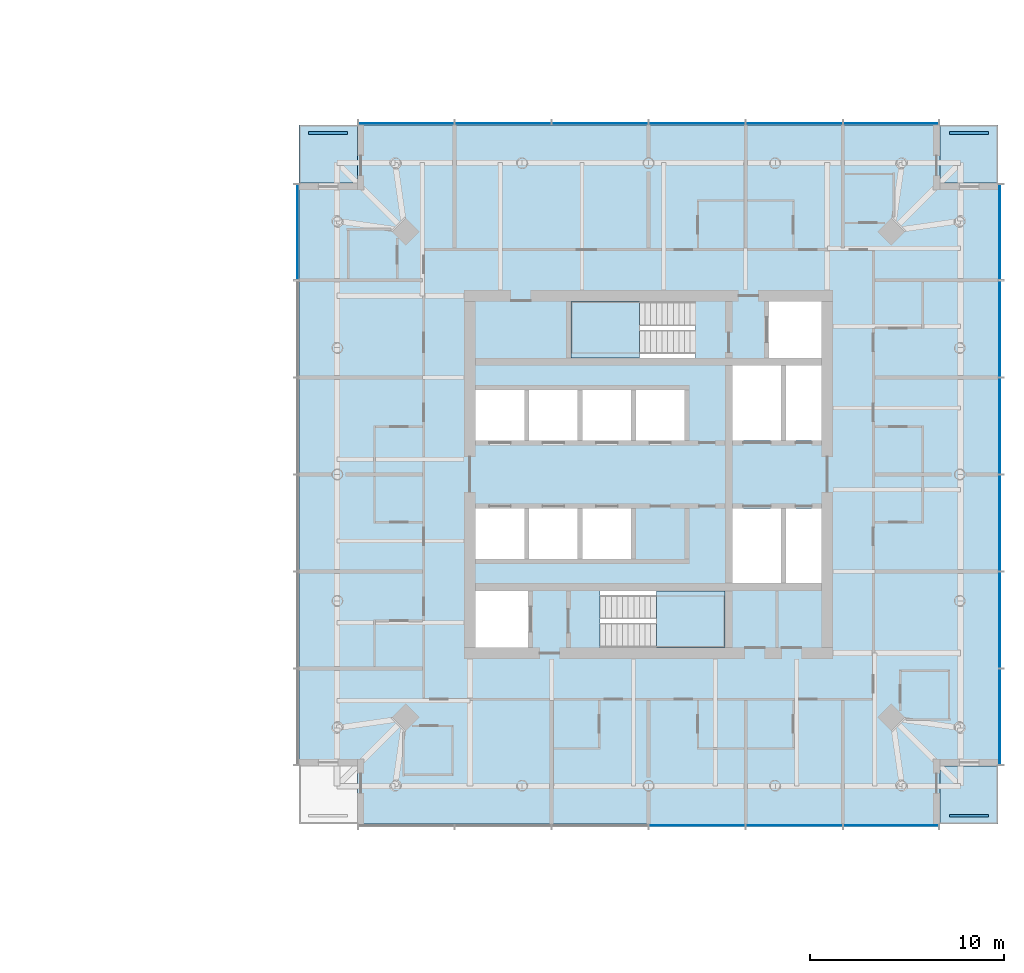
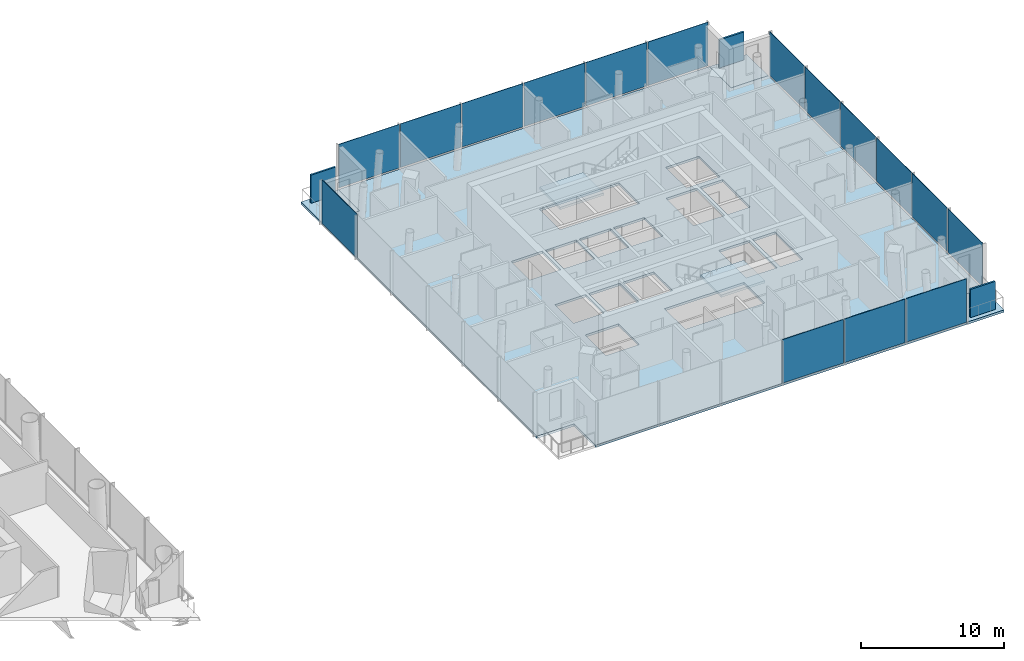
# One storey, part 8 of 27: 19 plates, 6 slabs, 6 elements without a shape of their own.
"""IFC4 building model written with IfcOpenShell, lengths in metres."""

from ifc_helpers import new_model, si_unit, direction, frame, origin, origin_2d, place, context, subcontext, project, spatial, polyline, rectangle, outline, extrude, material, layer, layer_set, type_object, element, aggregate, save


model = new_model("IFC4")

# Units and contexts
model_context = context("Model", 3, precision=1e-05, world=origin(), true_north=direction((0.0, 1.0)))
body_context = subcontext(model_context, "Body", "Model", "MODEL_VIEW")
ifc_project = project(units=[si_unit("LENGTHUNIT", "METRE"), si_unit("AREAUNIT", "SQUARE_METRE"), si_unit("VOLUMEUNIT", "CUBIC_METRE"), si_unit("PLANEANGLEUNIT", "RADIAN"), si_unit("MASSUNIT", "GRAM", prefix="KILO")], contexts=[model_context])

# Site, building, storey
site_placement = place(None, origin())
site = spatial("IfcSite", under=ifc_project, at=site_placement, CompositionType="ELEMENT")
building_placement = place(site_placement, origin())
building = spatial("IfcBuilding", under=site, at=building_placement, Name="Ostroluk Exchange", CompositionType="ELEMENT")
storey_placement = place(building_placement, frame((0.0, 0.0, 89.39990234375)))
storey = spatial("IfcBuildingStorey", under=building, at=storey_placement, Name="L22", CompositionType="ELEMENT", Elevation=89.39990234375)

# Curtain wall, plates
ifc_material_1 = material(Name="Laminated clear glass", Category="glass")
curtain_wall_type = type_object("IfcCurtainWallType", Name="Hotel guest floor facade", PredefinedType="USERDEFINED", material=ifc_material_1)
curtain_wall_1_placement = place(storey_placement, origin())
curtain_wall_1 = element("IfcCurtainWall", 1, at=curtain_wall_1_placement, inside=storey, type_object=curtain_wall_type, Name="Hotel tower south facade L22", ObjectType="UNITISED CURTAIN WALL", PredefinedType="USERDEFINED")
ifc_material_2 = material(Name="Laminated clear glass", Category="glass")
ifc_layer_1 = layer(ifc_material_2, 0.0400390625)
ifc_layer_set_1 = layer_set([ifc_layer_1], Name="Acoustic laminated glazing 40")
plate_type_1 = type_object("IfcPlateType", Name="Acoustic laminated glazing 40", PredefinedType="CURTAIN_PANEL", material=ifc_layer_set_1)
plate_1_placement = place(storey_placement, frame((119.5, 27.925048828125, 0.080078125), z_axis=(0.0, 0.0, 1.0), x_axis=(1.0, 0.0, 0.0)))
plate_1 = element("IfcPlate", 2, at=plate_1_placement, type_object=plate_type_1, Name="CW-H1 panel 4.1", PredefinedType="CURTAIN_PANEL", context=body_context, shape_type="SweptSolid", body=[
    extrude(rectangle(XDim=4.919921875, YDim=0.0400390625, at=origin_2d()), origin(), (0.0, 0.0, 1.0), 3.719970703125),
])
plate_2_placement = place(storey_placement, frame((124.5, 27.925048828125, 0.080078125), z_axis=(0.0, 0.0, 1.0), x_axis=(1.0, 0.0, 0.0)))
plate_2 = element("IfcPlate", 3, at=plate_2_placement, type_object=plate_type_1, Name="CW-H1 panel 5.1", PredefinedType="CURTAIN_PANEL", context=body_context, shape_type="SweptSolid", body=[
    extrude(rectangle(XDim=4.919921875, YDim=0.0400390625, at=origin_2d()), origin(), (0.0, 0.0, 1.0), 3.719970703125),
])
plate_3_placement = place(storey_placement, frame((129.47998046875, 27.925048828125, 0.080078125), z_axis=(0.0, 0.0, 1.0), x_axis=(1.0, 0.0, 0.0)))
plate_3 = element("IfcPlate", 4, at=plate_3_placement, type_object=plate_type_1, Name="CW-H1 panel 6.1", PredefinedType="CURTAIN_PANEL", context=body_context, shape_type="SweptSolid", body=[
    extrude(rectangle(XDim=4.8798828125, YDim=0.0400390625, at=origin_2d()), origin(), (0.0, 0.0, 1.0), 3.719970703125),
])
aggregate(curtain_wall_1, [plate_1, plate_2, plate_3])

curtain_wall_2_placement = place(storey_placement, origin())
curtain_wall_2 = element("IfcCurtainWall", 5, at=curtain_wall_2_placement, inside=storey, type_object=curtain_wall_type, Name="Hotel tower east facade L22", ObjectType="UNITISED CURTAIN WALL", PredefinedType="USERDEFINED")
plate_4_placement = place(storey_placement, frame((135.074951171875, 33.52001953125, 0.080078125), z_axis=(0.0, 0.0, 1.0), x_axis=(0.0, 1.0, 0.0)))
plate_4 = element("IfcPlate", 6, at=plate_4_placement, type_object=plate_type_1, Name="CW-H1 panel 1.1", PredefinedType="CURTAIN_PANEL", context=body_context, shape_type="SweptSolid", body=[
    extrude(rectangle(XDim=4.8798828125, YDim=0.0400390625, at=origin_2d()), origin(), (0.0, 0.0, 1.0), 3.719970703125),
])
plate_5_placement = place(storey_placement, frame((135.074951171875, 38.5, 0.080078125), z_axis=(0.0, 0.0, 1.0), x_axis=(0.0, 1.0, 0.0)))
plate_5 = element("IfcPlate", 7, at=plate_5_placement, type_object=plate_type_1, Name="CW-H1 panel 2.1", PredefinedType="CURTAIN_PANEL", context=body_context, shape_type="SweptSolid", body=[
    extrude(rectangle(XDim=4.919921875, YDim=0.0400390625, at=origin_2d()), origin(), (0.0, 0.0, 1.0), 3.719970703125),
])
plate_6_placement = place(storey_placement, frame((135.074951171875, 43.5, 0.080078125), z_axis=(0.0, 0.0, 1.0), x_axis=(0.0, 1.0, 0.0)))
plate_6 = element("IfcPlate", 8, at=plate_6_placement, type_object=plate_type_1, Name="CW-H1 panel 3.1", PredefinedType="CURTAIN_PANEL", context=body_context, shape_type="SweptSolid", body=[
    extrude(rectangle(XDim=4.919921875, YDim=0.0400390625, at=origin_2d()), origin(), (0.0, 0.0, 1.0), 3.719970703125),
])
plate_7_placement = place(storey_placement, frame((135.074951171875, 48.5, 0.080078125), z_axis=(0.0, 0.0, 1.0), x_axis=(0.0, 1.0, 0.0)))
plate_7 = element("IfcPlate", 9, at=plate_7_placement, type_object=plate_type_1, Name="CW-H1 panel 4.1", PredefinedType="CURTAIN_PANEL", context=body_context, shape_type="SweptSolid", body=[
    extrude(rectangle(XDim=4.919921875, YDim=0.0400390625, at=origin_2d()), origin(), (0.0, 0.0, 1.0), 3.719970703125),
])
plate_8_placement = place(storey_placement, frame((135.074951171875, 53.5, 0.080078125), z_axis=(0.0, 0.0, 1.0), x_axis=(0.0, 1.0, 0.0)))
plate_8 = element("IfcPlate", 10, at=plate_8_placement, type_object=plate_type_1, Name="CW-H1 panel 5.1", PredefinedType="CURTAIN_PANEL", context=body_context, shape_type="SweptSolid", body=[
    extrude(rectangle(XDim=4.919921875, YDim=0.0400390625, at=origin_2d()), origin(), (0.0, 0.0, 1.0), 3.719970703125),
])
plate_9_placement = place(storey_placement, frame((135.074951171875, 58.47998046875, 0.080078125), z_axis=(0.0, 0.0, 1.0), x_axis=(0.0, 1.0, 0.0)))
plate_9 = element("IfcPlate", 11, at=plate_9_placement, type_object=plate_type_1, Name="CW-H1 panel 6.1", PredefinedType="CURTAIN_PANEL", context=body_context, shape_type="SweptSolid", body=[
    extrude(rectangle(XDim=4.8798828125, YDim=0.0400390625, at=origin_2d()), origin(), (0.0, 0.0, 1.0), 3.719970703125),
])
aggregate(curtain_wall_2, [plate_4, plate_5, plate_6, plate_7, plate_8, plate_9])

curtain_wall_3_placement = place(storey_placement, origin())
curtain_wall_3 = element("IfcCurtainWall", 12, at=curtain_wall_3_placement, inside=storey, type_object=curtain_wall_type, Name="Hotel tower north facade L22", ObjectType="UNITISED CURTAIN WALL", PredefinedType="USERDEFINED")
plate_10_placement = place(storey_placement, frame((129.47998046875, 64.074951171875, 0.080078125), z_axis=(0.0, 0.0, 1.0), x_axis=(-1.0, 0.0, 0.0)))
plate_10 = element("IfcPlate", 13, at=plate_10_placement, type_object=plate_type_1, Name="CW-H1 panel 1.1", PredefinedType="CURTAIN_PANEL", context=body_context, shape_type="SweptSolid", body=[
    extrude(rectangle(XDim=4.8798828125, YDim=0.0400390625, at=origin_2d()), origin(), (0.0, 0.0, 1.0), 3.719970703125),
])
plate_11_placement = place(storey_placement, frame((124.5, 64.074951171875, 0.080078125), z_axis=(0.0, 0.0, 1.0), x_axis=(-1.0, 0.0, 0.0)))
plate_11 = element("IfcPlate", 14, at=plate_11_placement, type_object=plate_type_1, Name="CW-H1 panel 2.1", PredefinedType="CURTAIN_PANEL", context=body_context, shape_type="SweptSolid", body=[
    extrude(rectangle(XDim=4.919921875, YDim=0.0400390625, at=origin_2d()), origin(), (0.0, 0.0, 1.0), 3.719970703125),
])
plate_12_placement = place(storey_placement, frame((119.5, 64.074951171875, 0.080078125), z_axis=(0.0, 0.0, 1.0), x_axis=(-1.0, 0.0, 0.0)))
plate_12 = element("IfcPlate", 15, at=plate_12_placement, type_object=plate_type_1, Name="CW-H1 panel 3.1", PredefinedType="CURTAIN_PANEL", context=body_context, shape_type="SweptSolid", body=[
    extrude(rectangle(XDim=4.919921875, YDim=0.0400390625, at=origin_2d()), origin(), (0.0, 0.0, 1.0), 3.719970703125),
])
plate_13_placement = place(storey_placement, frame((114.5, 64.074951171875, 0.080078125), z_axis=(0.0, 0.0, 1.0), x_axis=(-1.0, 0.0, 0.0)))
plate_13 = element("IfcPlate", 16, at=plate_13_placement, type_object=plate_type_1, Name="CW-H1 panel 4.1", PredefinedType="CURTAIN_PANEL", context=body_context, shape_type="SweptSolid", body=[
    extrude(rectangle(XDim=4.919921875, YDim=0.0400390625, at=origin_2d()), origin(), (0.0, 0.0, 1.0), 3.719970703125),
])
plate_14_placement = place(storey_placement, frame((109.5, 64.074951171875, 0.080078125), z_axis=(0.0, 0.0, 1.0), x_axis=(-1.0, 0.0, 0.0)))
plate_14 = element("IfcPlate", 17, at=plate_14_placement, type_object=plate_type_1, Name="CW-H1 panel 5.1", PredefinedType="CURTAIN_PANEL", context=body_context, shape_type="SweptSolid", body=[
    extrude(rectangle(XDim=4.919921875, YDim=0.0400390625, at=origin_2d()), origin(), (0.0, 0.0, 1.0), 3.719970703125),
])
plate_15_placement = place(storey_placement, frame((104.52001953125, 64.074951171875, 0.080078125), z_axis=(0.0, 0.0, 1.0), x_axis=(-1.0, 0.0, 0.0)))
plate_15 = element("IfcPlate", 18, at=plate_15_placement, type_object=plate_type_1, Name="CW-H1 panel 6.1", PredefinedType="CURTAIN_PANEL", context=body_context, shape_type="SweptSolid", body=[
    extrude(rectangle(XDim=4.8798828125, YDim=0.0400390625, at=origin_2d()), origin(), (0.0, 0.0, 1.0), 3.719970703125),
])
aggregate(curtain_wall_3, [plate_10, plate_11, plate_12, plate_13, plate_14, plate_15])

# Curtain wall, plate
curtain_wall_4_placement = place(storey_placement, origin())
curtain_wall_4 = element("IfcCurtainWall", 19, at=curtain_wall_4_placement, inside=storey, type_object=curtain_wall_type, Name="Hotel tower west facade L22", ObjectType="UNITISED CURTAIN WALL", PredefinedType="USERDEFINED")
plate_16_placement = place(storey_placement, frame((98.925048828125, 58.47998046875, 0.080078125), z_axis=(0.0, 0.0, 1.0), x_axis=(0.0, -1.0, 0.0)))
plate_16 = element("IfcPlate", 20, at=plate_16_placement, type_object=plate_type_1, Name="CW-H1 panel 1.1", PredefinedType="CURTAIN_PANEL", context=body_context, shape_type="SweptSolid", body=[
    extrude(rectangle(XDim=4.8798828125, YDim=0.0400390625, at=origin_2d()), origin(), (0.0, 0.0, 1.0), 3.719970703125),
])
aggregate(curtain_wall_4, [plate_16])

# Slabs
ifc_material_3 = material(Name="Concrete C35/45", Category="concrete")
ifc_layer_2 = layer(ifc_material_3, 0.199951171875)
ifc_layer_set_2 = layer_set([ifc_layer_2], Name="Balcony slab 200")
slab_type_1 = type_object("IfcSlabType", Name="Balcony slab 200", PredefinedType="USERDEFINED", material=ifc_layer_set_2)
slab_1_placement = place(storey_placement, frame((0.0, 0.0, -0.199951171875)))
element("IfcSlab", 21, at=slab_1_placement, inside=storey, type_object=slab_type_1, Name="Hotel tower SE corner balcony L22", ObjectType="BALCONY", PredefinedType="USERDEFINED", context=body_context, shape_type="SweptSolid", body=[
    extrude(outline(polyline([(132.0, 28.0), (135.0, 28.0), (135.0, 31.0), (132.0, 31.0), (132.0, 28.0)])), origin(), (0.0, 0.0, 1.0), 0.199951171875),
])
slab_2_placement = place(storey_placement, frame((0.0, 0.0, -0.199951171875)))
element("IfcSlab", 22, at=slab_2_placement, inside=storey, type_object=slab_type_1, Name="Hotel tower NE corner balcony L22", ObjectType="BALCONY", PredefinedType="USERDEFINED", context=body_context, shape_type="SweptSolid", body=[
    extrude(outline(polyline([(132.0, 61.0), (135.0, 61.0), (135.0, 64.0), (132.0, 64.0), (132.0, 61.0)])), origin(), (0.0, 0.0, 1.0), 0.199951171875),
])
slab_3_placement = place(storey_placement, frame((0.0, 0.0, -0.199951171875)))
element("IfcSlab", 23, at=slab_3_placement, inside=storey, type_object=slab_type_1, Name="Hotel tower NW corner balcony L22", ObjectType="BALCONY", PredefinedType="USERDEFINED", context=body_context, shape_type="SweptSolid", body=[
    extrude(outline(polyline([(99.0, 61.0), (102.0, 61.0), (102.0, 64.0), (99.0, 64.0), (99.0, 61.0)])), origin(), (0.0, 0.0, 1.0), 0.199951171875),
])

# Plates
ifc_material_4 = material(Name="Steel S355 trellis with planting", Category="steel")
ifc_layer_3 = layer(ifc_material_4, 0.14990234375)
ifc_layer_set_3 = layer_set([ifc_layer_3], Name="Planted screen 150")
plate_type_2 = type_object("IfcPlateType", Name="Planted screen 150", PredefinedType="USERDEFINED", material=ifc_layer_set_3)
for number, where, z_axis, x_axis, name in (
    (24, (133.5, 28.425048828125, 0.000244140625), (0.0, 0.0, 1.0), (1.0, 0.0, 0.0), "Hotel tower SE planted screen L22"),
    (25, (133.5, 63.574951171875, 0.000244140625), (0.0, 0.0, 1.0), (1.0, 0.0, 0.0), "Hotel tower NE planted screen L22"),
    (26, (100.5, 63.574951171875, 0.000244140625), (0.0, 0.0, 1.0), (1.0, 0.0, 0.0), "Hotel tower NW planted screen L22"),
):
    element("IfcPlate", number, at=place(storey_placement, frame(where, z_axis=z_axis, x_axis=x_axis)), inside=storey, type_object=plate_type_2, Name=name, ObjectType="PLANTED SCREEN", PredefinedType="USERDEFINED", context=body_context, shape_type="SweptSolid", body=[
        extrude(rectangle(XDim=2.0, YDim=0.14990234375, at=origin_2d()), origin(), (0.0, 0.0, 1.0), 2.39990234375),
    ])

# Stair, slab
ifc_material_5 = material(Name="Concrete C30/37", Category="concrete")
stair_type = type_object("IfcStairType", Name="Exit stair half turn 3800", PredefinedType="HALF_TURN_STAIR", material=ifc_material_5)
stair_1_placement = place(storey_placement, origin())
stair_1 = element("IfcStair", 27, at=stair_1_placement, inside=storey, type_object=stair_type, Name="Stair T2-S1 L22", PredefinedType="HALF_TURN_STAIR")
ifc_material_6 = material(Name="Concrete C30/37", Category="concrete")
ifc_layer_4 = layer(ifc_material_6, 0.199951171875)
ifc_layer_set_4 = layer_set([ifc_layer_4], Name="Stair landing 200")
slab_type_2 = type_object("IfcSlabType", Name="Stair landing 200", PredefinedType="LANDING", material=ifc_layer_set_4)
slab_4_placement = place(storey_placement, frame((0.0, 0.0, 1.7001953125)))
slab_4 = element("IfcSlab", 28, at=slab_4_placement, type_object=slab_type_2, Name="T2-S1 landing 1", PredefinedType="LANDING", context=body_context, shape_type="SweptSolid", body=[
    extrude(outline(polyline([(117.39990234375, 37.10009765625), (117.39990234375, 40.0), (120.929931640625, 40.0), (120.929931640625, 37.10009765625), (117.39990234375, 37.10009765625)])), origin(), (0.0, 0.0, 1.0), 0.199951171875),
])
aggregate(stair_1, [slab_4])

stair_2_placement = place(storey_placement, origin())
stair_2 = element("IfcStair", 29, at=stair_2_placement, inside=storey, type_object=stair_type, Name="Stair T2-S2 L22", PredefinedType="HALF_TURN_STAIR")
slab_5_placement = place(storey_placement, frame((0.0, 0.0, 1.7001953125)))
slab_5 = element("IfcSlab", 30, at=slab_5_placement, type_object=slab_type_2, Name="T2-S2 landing 1", PredefinedType="LANDING", context=body_context, shape_type="SweptSolid", body=[
    extrude(outline(polyline([(116.530029296875, 52.0), (116.530029296875, 54.89990234375), (113.0, 54.89990234375), (113.0, 52.0), (116.530029296875, 52.0)])), origin(), (0.0, 0.0, 1.0), 0.199951171875),
])
aggregate(stair_2, [slab_5])

# Slab
ifc_material_7 = material(Name="Concrete C35/45", Category="concrete")
ifc_layer_5 = layer(ifc_material_7, 0.199951171875)
ifc_layer_set_5 = layer_set([ifc_layer_5], Name="Tower floor slab 200 composite")
slab_type_3 = type_object("IfcSlabType", Name="Tower floor slab 200 composite", PredefinedType="FLOOR", material=ifc_layer_set_5)
slab_6_placement = place(storey_placement, frame((0.0, 0.0, -0.199951171875)))
element("IfcSlab", 31, at=slab_6_placement, inside=storey, type_object=slab_type_3, Name="Hotel tower floor slab L22", PredefinedType="FLOOR", context=body_context, shape_type="SweptSolid", body=[
    extrude(outline(polyline([(102.0, 28.0), (132.0, 28.0), (132.0, 31.0), (135.0, 31.0), (135.0, 61.0), (132.0, 61.0), (132.0, 64.0), (102.0, 64.0), (102.0, 61.0), (99.0, 61.0), (99.0, 31.0), (102.0, 31.0), (102.0, 28.0)]), holes=[polyline([(108.10009765625, 37.10009765625), (110.800048828125, 37.10009765625), (110.800048828125, 40.0), (108.10009765625, 40.0), (108.10009765625, 37.10009765625)]), polyline([(114.510009765625, 37.10009765625), (120.929931640625, 37.10009765625), (120.929931640625, 40.0), (114.510009765625, 40.0), (114.510009765625, 37.10009765625)]), polyline([(113.0, 52.0), (119.419921875, 52.0), (119.419921875, 54.89990234375), (113.0, 54.89990234375), (113.0, 52.0)]), polyline([(123.199951171875, 52.0), (125.89990234375, 52.0), (125.89990234375, 54.89990234375), (123.199951171875, 54.89990234375), (123.199951171875, 52.0)]), polyline([(108.10009765625, 47.75), (110.60009765625, 47.75), (110.60009765625, 50.35009765625), (108.10009765625, 50.35009765625), (108.10009765625, 47.75)]), polyline([(110.85009765625, 47.75), (113.35009765625, 47.75), (113.35009765625, 50.35009765625), (110.85009765625, 50.35009765625), (110.85009765625, 47.75)]), polyline([(113.60009765625, 47.75), (116.10009765625, 47.75), (116.10009765625, 50.35009765625), (113.60009765625, 50.35009765625), (113.60009765625, 47.75)]), polyline([(116.35009765625, 47.75), (118.85009765625, 47.75), (118.85009765625, 50.35009765625), (116.35009765625, 50.35009765625), (116.35009765625, 47.75)]), polyline([(108.10009765625, 41.64990234375), (110.60009765625, 41.64990234375), (110.60009765625, 44.25), (108.10009765625, 44.25), (108.10009765625, 41.64990234375)]), polyline([(110.85009765625, 41.64990234375), (113.35009765625, 41.64990234375), (113.35009765625, 44.25), (110.85009765625, 44.25), (110.85009765625, 41.64990234375)]), polyline([(113.60009765625, 41.64990234375), (116.10009765625, 41.64990234375), (116.10009765625, 44.25), (113.60009765625, 44.25), (113.60009765625, 41.64990234375)]), polyline([(121.330078125, 47.75), (123.830078125, 47.75), (123.830078125, 51.60009765625), (121.330078125, 51.60009765625), (121.330078125, 47.75)]), polyline([(121.330078125, 40.39990234375), (123.830078125, 40.39990234375), (123.830078125, 44.25), (121.330078125, 44.25), (121.330078125, 40.39990234375)]), polyline([(124.080078125, 47.75), (125.89990234375, 47.75), (125.89990234375, 51.60009765625), (124.080078125, 51.60009765625), (124.080078125, 47.75)]), polyline([(124.080078125, 40.39990234375), (125.89990234375, 40.39990234375), (125.89990234375, 44.25), (124.080078125, 44.25), (124.080078125, 40.39990234375)])]), origin(), (0.0, 0.0, 1.0), 0.199951171875),
])

save(model, "model.ifc")
